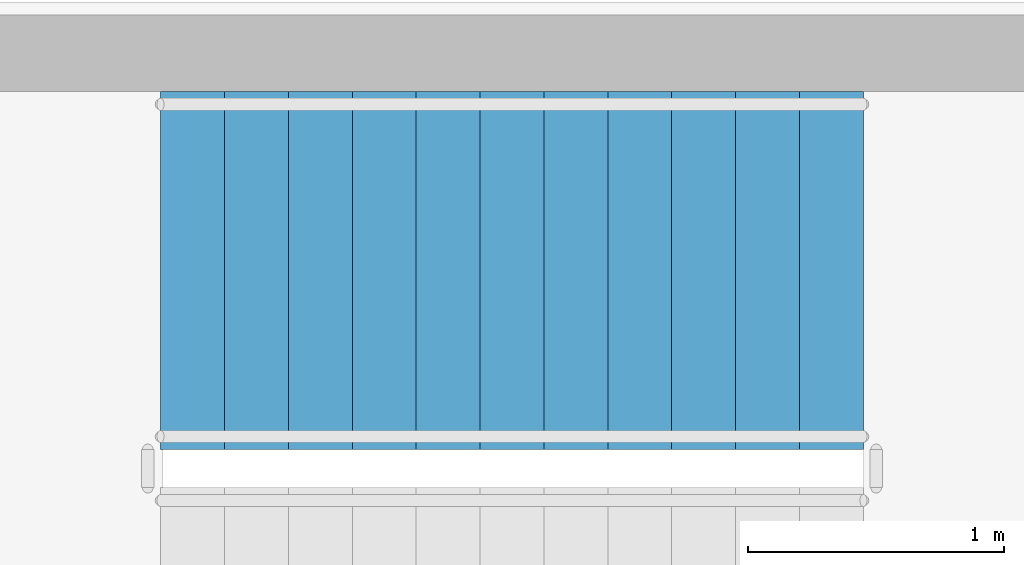
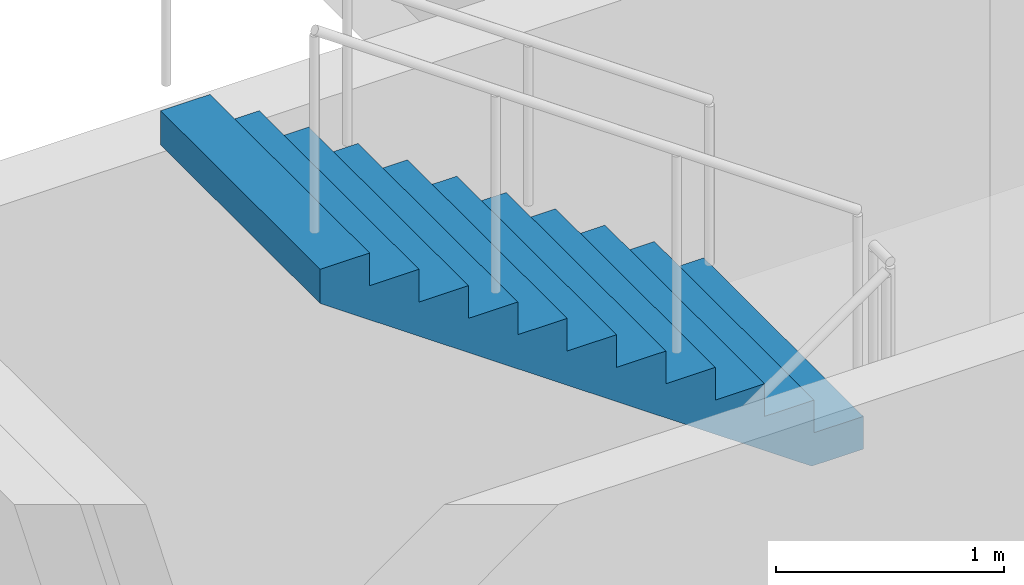
# One storey, part 11 of 16: 1 stair flight, 1 element without a shape of its own.
"""IFC4 building model written with IfcOpenShell, lengths in metres."""

from ifc_helpers import new_model, si_unit, direction, frame, origin, place, context, subcontext, project, spatial, polyline, outline, extrude, source, transform, mapped, material, type_object, element, aggregate, save


model = new_model("IFC4")

# Units and contexts
model_context = context("Model", 3, precision=1e-05, world=origin(), true_north=direction((0.0, 1.0)))
body_context = subcontext(model_context, "Body", "Model", "MODEL_VIEW")
ifc_project = project(units=[si_unit("LENGTHUNIT", "METRE"), si_unit("AREAUNIT", "SQUARE_METRE"), si_unit("VOLUMEUNIT", "CUBIC_METRE"), si_unit("PLANEANGLEUNIT", "RADIAN"), si_unit("MASSUNIT", "GRAM", prefix="KILO")], contexts=[model_context])

# Site, building, storey
site_placement = place(None, origin())
site = spatial("IfcSite", under=ifc_project, at=site_placement, CompositionType="ELEMENT")
building_placement = place(site_placement, origin())
building = spatial("IfcBuilding", under=site, at=building_placement, Name="Aurelian Terraces", CompositionType="ELEMENT")
storey_placement = place(building_placement, frame((0.0, 0.0, 124.5)))
storey = spatial("IfcBuildingStorey", under=building, at=storey_placement, Name="L27", CompositionType="ELEMENT", Elevation=124.5)

# Stair, stair flight
ifc_material = material(Name="Concrete fc' 40 MPa", Category="concrete")
stair_type = type_object("IfcStairType", Name="Stair 1400", PredefinedType="HALF_TURN_STAIR", material=ifc_material)
stair_placement = place(storey_placement, origin())
stair = element("IfcStair", 1, at=stair_placement, inside=storey, type_object=stair_type, Name="L27 S3", PredefinedType="HALF_TURN_STAIR")
stair_flight_type = type_object("IfcStairFlightType", Name="Stair flight 1400", PredefinedType="STRAIGHT", material=ifc_material)
shared_shape = source(origin(), body_context, "Body", "SweptSolid", [
    extrude(outline(polyline([(0.0, 0.0), (0.0, 0.175), (0.25, 0.175), (0.25, 0.35), (0.5, 0.35), (0.5, 0.525), (0.75, 0.525), (0.75, 0.7), (1.0, 0.7), (1.0, 0.875), (1.25, 0.875), (1.25, 1.05), (1.5, 1.05), (1.5, 1.225), (1.75, 1.225), (1.75, 1.4), (2.0, 1.4), (2.0, 1.575), (2.25, 1.575), (2.25, 1.75), (2.5, 1.75), (2.5, 1.925), (2.75, 1.925), (2.75, 2.1), (2.75, 1.7419), (0.2616, 0.0), (0.0, 0.0)])), frame((0.0, 0.7, 0.0), z_axis=(0.0, -1.0, 0.0), x_axis=(1.0, 0.0, 0.0)), (0.0, 0.0, 1.0), 1.4),
])
stair_flight_placement = place(storey_placement, frame((4.85, 42.9, 2.100000019999994), z_axis=(0.0, 0.0, 1.0), x_axis=(-1.0, 0.0, 0.0)))
stair_flight = element("IfcStairFlight", 2, at=stair_flight_placement, type_object=stair_flight_type, Name="S3 flight 2", NumberOfRisers=12, NumberOfTreads=11, PredefinedType="STRAIGHT", RiserHeight=0.175, TreadLength=0.25, context=body_context, shape_type="MappedRepresentation", body=[
    mapped(shared_shape, transform((0.0, 0.0, 0.0), scale=1.0)),
])
aggregate(stair, [stair_flight])

save(model, "model.ifc")
